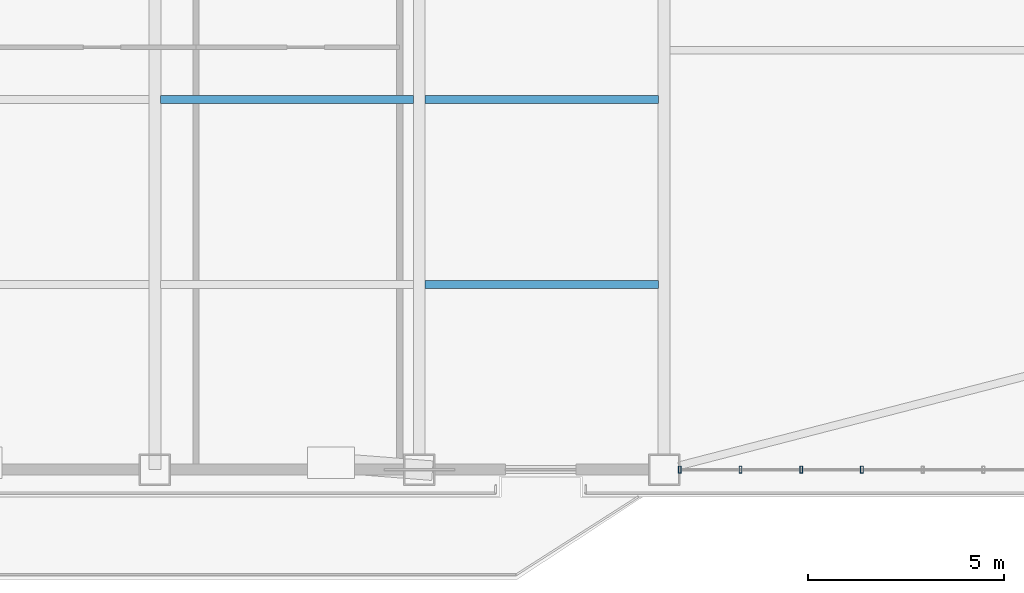
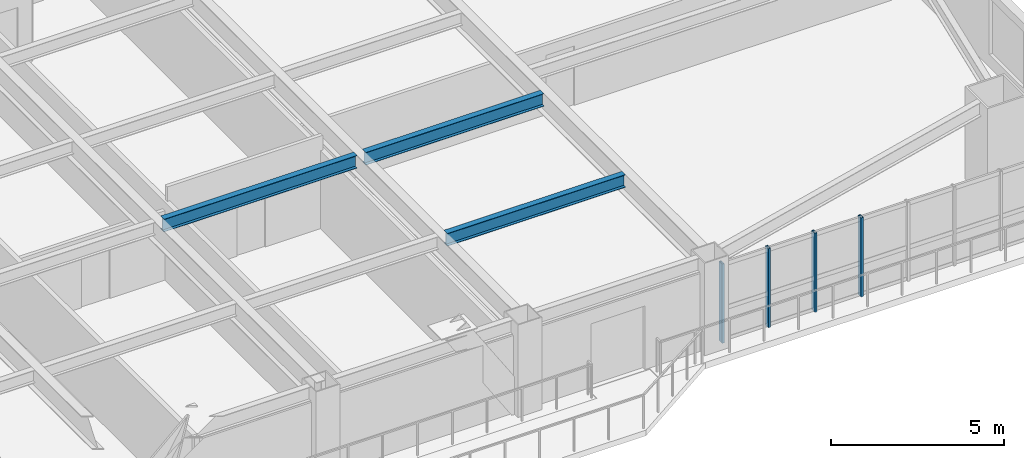
# One storey, part 4 of 16: 4 members, 3 beams, 1 element without a shape of its own.
"""IFC4 building model written with IfcOpenShell, lengths in metres."""

from ifc_helpers import new_model, si_unit, direction, frame, origin, origin_2d, place, context, subcontext, project, spatial, hollow_rectangle, i_section, extrude, source, transform, mapped, material, layer, layer_set, material_profile, profile_set, type_object, element, aggregate, save


model = new_model("IFC4")

# Units and contexts
model_context = context("Model", 3, precision=1e-05, world=origin(), true_north=direction((0.0, 1.0)))
body_context = subcontext(model_context, "Body", "Model", "MODEL_VIEW")
ifc_project = project(units=[si_unit("LENGTHUNIT", "METRE"), si_unit("AREAUNIT", "SQUARE_METRE"), si_unit("VOLUMEUNIT", "CUBIC_METRE"), si_unit("PLANEANGLEUNIT", "RADIAN"), si_unit("MASSUNIT", "GRAM", prefix="KILO")], contexts=[model_context])

# Site, building, storey
site_placement = place(None, origin())
site = spatial("IfcSite", under=ifc_project, at=site_placement, CompositionType="ELEMENT")
building_placement = place(site_placement, origin())
building = spatial("IfcBuilding", under=site, at=building_placement, Name="Giltprow Tower", CompositionType="ELEMENT")
storey_placement = place(building_placement, frame((0.0, 0.0, 159.699951171875)))
storey = spatial("IfcBuildingStorey", under=building, at=storey_placement, Name="L39", CompositionType="ELEMENT", Elevation=159.699951171875)

# Beams
ifc_material_1 = material(Name="Structural steel Q355B", Category="steel")
ifc_material_profile_1 = material_profile(ifc_material_1, i_section(OverallWidth=0.199951171875, OverallDepth=0.449951171875, WebThickness=0.009033203125, FlangeThickness=0.013916015625, at=origin_2d()), Name="HN 450x200x9x14")
ifc_profile_set_1 = profile_set([ifc_material_profile_1], Name="Structural steel Q355B")
beam_type = type_object("IfcBeamType", Name="BM-JOIST-HN450", PredefinedType="JOIST", material=ifc_profile_set_1)
shared_shape_1 = source(origin(), body_context, "Body", "SweptSolid", [
    extrude(i_section(OverallWidth=0.199951171875, OverallDepth=0.449951171875, WebThickness=0.009033203125, FlangeThickness=0.013916015625, at=origin_2d()), origin(), (0.0, 0.0, 1.0), 6.4599609375),
])
beam_placement = place(storey_placement, frame((37.695068359375, 18.549072265625, 3.045166015625), z_axis=(1.0, 0.0, 0.0), x_axis=(0.0, 1.0, 0.0)))
element("IfcBeam", 1, at=beam_placement, inside=storey, type_object=beam_type, Name="L39 Composite Floor Joist 2-3", PredefinedType="JOIST", context=body_context, shape_type="MappedRepresentation", body=[
    mapped(shared_shape_1, transform((0.0, 0.0, 0.0), x_axis=(1.0, 0.0, 0.0), y_axis=(0.0, 1.0, 0.0), z_axis=(0.0, 0.0, 1.0), scale=1.0)),
])
shared_shape_2 = source(origin(), body_context, "Body", "SweptSolid", [
    extrude(i_section(OverallWidth=0.199951171875, OverallDepth=0.449951171875, WebThickness=0.009033203125, FlangeThickness=0.013916015625, at=origin_2d()), origin(), (0.0, 0.0, 1.0), 5.9599609375),
])
for number, where, z_axis, x_axis, name in (
    (2, (44.445068359375, 13.822998046875, 3.045166015625), (1.0, 0.0, 0.0), (0.0, 1.0, 0.0), "L39 Composite Floor Joist 1-4"),
    (3, (44.445068359375, 18.549072265625, 3.045166015625), (1.0, 0.0, 0.0), (0.0, 1.0, 0.0), "L39 Composite Floor Joist 2-4"),
):
    element("IfcBeam", number, at=place(storey_placement, frame(where, z_axis=z_axis, x_axis=x_axis)), inside=storey, type_object=beam_type, Name=name, PredefinedType="JOIST", context=body_context, shape_type="MappedRepresentation", body=[
        mapped(shared_shape_2, transform((0.0, 0.0, 0.0), x_axis=(1.0, 0.0, 0.0), y_axis=(0.0, 1.0, 0.0), z_axis=(0.0, 0.0, 1.0), scale=1.0)),
    ])

# Curtain wall, members
ifc_material_2 = material(Name="Anodized bronze", Category="metal")
ifc_layer = layer(ifc_material_2, 0.179931640625, Name="Anodized bronze")
ifc_layer_set = layer_set([ifc_layer], Name="Anodized bronze")
curtain_wall_type = type_object("IfcCurtainWallType", Name="CW-HTL-BRONZE", PredefinedType="NOTDEFINED", material=ifc_layer_set)
curtain_wall_placement = place(storey_placement, origin())
curtain_wall = element("IfcCurtainWall", 4, at=curtain_wall_placement, inside=storey, type_object=curtain_wall_type, Name="L39 South Recessed Curtain Wall 6", PredefinedType="NOTDEFINED")
ifc_material_profile_2 = material_profile(ifc_material_2, hollow_rectangle(XDim=0.074951171875, YDim=0.179931640625, WallThickness=0.008056640625, at=origin_2d()), Name="RHS 180x75x8")
ifc_profile_set_2 = profile_set([ifc_material_profile_2], Name="Anodized bronze")
member_type = type_object("IfcMemberType", Name="CW-MULLION-180x75", PredefinedType="MULLION", material=ifc_profile_set_2)
shared_shape_3 = source(origin(), body_context, "Body", "SweptSolid", [
    extrude(hollow_rectangle(XDim=0.074951171875, YDim=0.179931640625, WallThickness=0.008056640625, at=origin_2d()), origin(), (0.0, 0.0, 1.0), 2.80517578125),
])
member_1_placement = place(storey_placement, frame((50.949951171875, 9.097900390625, -0.02001953125), z_axis=(0.0, 0.0, 1.0), x_axis=(1.0, 0.0, 0.0)))
member_1 = element("IfcMember", 5, at=member_1_placement, type_object=member_type, Name="L39 South Recessed Curtain Wall 6 Mullion 1", PredefinedType="MULLION", context=body_context, shape_type="MappedRepresentation", body=[
    mapped(shared_shape_3, transform((0.0, 0.0, 0.0), x_axis=(1.0, 0.0, 0.0), y_axis=(0.0, 1.0, 0.0), z_axis=(0.0, 0.0, 1.0), scale=1.0)),
])
member_2_placement = place(storey_placement, frame((52.5, 9.097900390625, -0.02001953125), z_axis=(0.0, 0.0, 1.0), x_axis=(1.0, 0.0, 0.0)))
member_2 = element("IfcMember", 6, at=member_2_placement, type_object=member_type, Name="L39 South Recessed Curtain Wall 6 Mullion 2", PredefinedType="MULLION", context=body_context, shape_type="MappedRepresentation", body=[
    mapped(shared_shape_3, transform((0.0, 0.0, 0.0), x_axis=(1.0, 0.0, 0.0), y_axis=(0.0, 1.0, 0.0), z_axis=(0.0, 0.0, 1.0), scale=1.0)),
])
member_3_placement = place(storey_placement, frame((54.051025390625, 9.097900390625, -0.02001953125), z_axis=(0.0, 0.0, 1.0), x_axis=(1.0, 0.0, 0.0)))
member_3 = element("IfcMember", 7, at=member_3_placement, type_object=member_type, Name="L39 South Recessed Curtain Wall 6 Mullion 3", PredefinedType="MULLION", context=body_context, shape_type="MappedRepresentation", body=[
    mapped(shared_shape_3, transform((0.0, 0.0, 0.0), x_axis=(1.0, 0.0, 0.0), y_axis=(0.0, 1.0, 0.0), z_axis=(0.0, 0.0, 1.0), scale=1.0)),
])
member_4_placement = place(storey_placement, frame((55.60107421875, 9.097900390625, -0.02001953125), z_axis=(0.0, 0.0, 1.0), x_axis=(1.0, 0.0, 0.0)))
member_4 = element("IfcMember", 8, at=member_4_placement, type_object=member_type, Name="L39 South Recessed Curtain Wall 6 Mullion 4", PredefinedType="MULLION", context=body_context, shape_type="MappedRepresentation", body=[
    mapped(shared_shape_3, transform((0.0, 0.0, 0.0), x_axis=(1.0, 0.0, 0.0), y_axis=(0.0, 1.0, 0.0), z_axis=(0.0, 0.0, 1.0), scale=1.0)),
])
aggregate(curtain_wall, [member_1, member_2, member_3, member_4])

save(model, "model.ifc")
